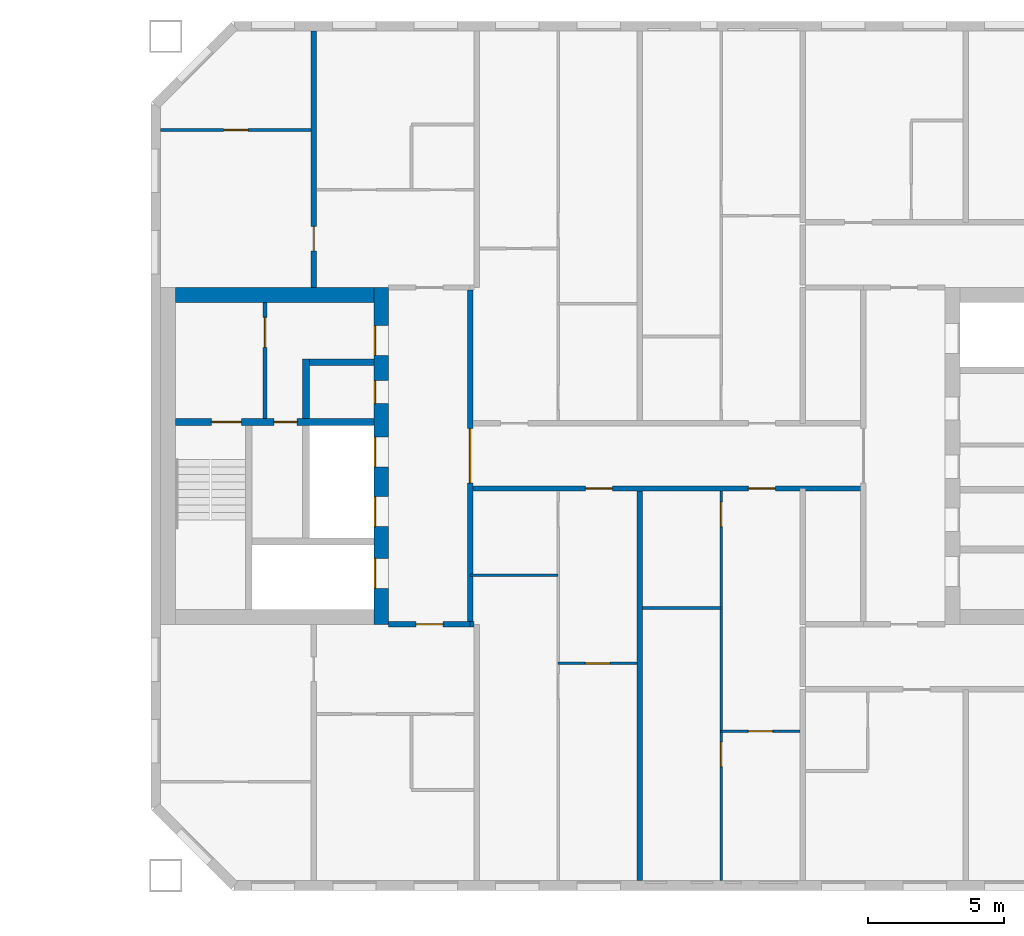
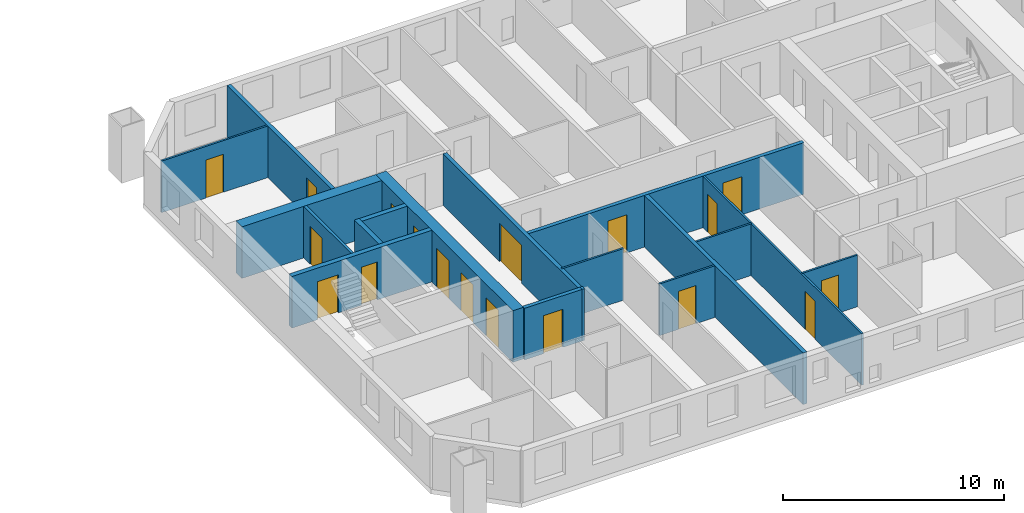
# One storey, part 10 of 16: 18 doors, 18 walls, 18 openings.
"""IFC4 building model written with IfcOpenShell, lengths in metres."""

from ifc_helpers import new_model, si_unit, direction, frame, frame_2d, origin, place, context, subcontext, project, spatial, rectangle, extrude, material, layer, layer_set, type_object, element, fill, save


model = new_model("IFC4")

# Units and contexts
model_context = context("Model", 3, precision=1e-05, world=origin(), true_north=direction((0.0, 1.0)))
body_context = subcontext(model_context, "Body", "Model", "MODEL_VIEW")
ifc_project = project(units=[si_unit("LENGTHUNIT", "METRE"), si_unit("AREAUNIT", "SQUARE_METRE"), si_unit("VOLUMEUNIT", "CUBIC_METRE"), si_unit("PLANEANGLEUNIT", "RADIAN"), si_unit("MASSUNIT", "GRAM", prefix="KILO")], contexts=[model_context])

# Site, building, storey
site_placement = place(None, origin())
site = spatial("IfcSite", under=ifc_project, at=site_placement, CompositionType="ELEMENT")
building_placement = place(site_placement, origin())
building = spatial("IfcBuilding", under=site, at=building_placement, Name="Tuart Gate Housing", CompositionType="ELEMENT")
storey_placement = place(building_placement, frame((0.0, 0.0, 139.199951171875)))
storey = spatial("IfcBuildingStorey", under=building, at=storey_placement, Name="L39", CompositionType="ELEMENT", Elevation=139.199951171875)

# Wall, opening, door
ifc_material_1 = material(Name="Plasterboard partition")
ifc_layer_1 = layer(ifc_material_1, 0.14990234375)
ifc_layer_set_1 = layer_set([ifc_layer_1], Name="Core partition 150")
wall_type_1 = type_object("IfcWallType", Name="Core partition 150", PredefinedType="PARTITIONING", material=ifc_layer_set_1)
wall_1_placement = place(storey_placement, frame((135.2099609375, 71.375, 0.0), z_axis=(0.0, 0.0, 1.0), x_axis=(0.0, 1.0, 0.0)))
wall_1 = element("IfcWall", 1, at=wall_1_placement, inside=storey, type_object=wall_type_1, Name="Core partition BG.6", PredefinedType="PARTITIONING", context=body_context, shape_type="SweptSolid", body=[
    extrude(rectangle(XDim=4.27490234375, YDim=0.14990234375, at=frame_2d((2.137451171875, 0.0))), origin(), (0.0, 0.0, 1.0), 2.85009765625),
])
opening_1_placement = place(wall_1_placement, frame((2.625, 0.0, 0.0)))
opening_1 = element("IfcOpeningElement", 2, at=opening_1_placement, cuts=wall_1, Name="Opening D1481", PredefinedType="OPENING", context=body_context, shape_type="SweptSolid", body=[
    extrude(rectangle(XDim=1.10009765625, YDim=2.10009765625, at=frame_2d((0.550048828125, 1.050048828125))), frame((0.0, 0.0849609375, 0.0), z_axis=(0.0, -1.0, 0.0), x_axis=(1.0, 0.0, 0.0)), (0.0, 0.0, 1.0), 0.169921875),
])
ifc_material_2 = material(Name="Steel fire door", Category="steel")
door_type_1 = type_object("IfcDoorType", Name="Lobby door 1100 x 2100 RH", OperationType="SINGLE_SWING_RIGHT", PredefinedType="DOOR", material=ifc_material_2)
door_1_placement = place(opening_1_placement, origin())
door_1 = element("IfcDoor", 3, at=door_1_placement, inside=storey, type_object=door_type_1, Name="Smoke lobby door BG.KD", OperationType="SINGLE_SWING_RIGHT", OverallHeight=2.10009765625, OverallWidth=1.10009765625, PredefinedType="DOOR", context=body_context, shape_type="SweptSolid", body=[
    extrude(rectangle(XDim=1.10009765625, YDim=2.10009765625, at=frame_2d((0.550048828125, 1.050048828125))), frame((0.0, 0.02490234375, 0.0), z_axis=(0.0, -1.0, 0.0), x_axis=(1.0, 0.0, 0.0)), (0.0, 0.0, 1.0), 0.050048828125),
])
fill(opening_1, door_1)

# Wall, openings, doors
ifc_material_3 = material(Name="Concrete C50", Category="concrete")
ifc_layer_2 = layer(ifc_material_3, 0.25)
ifc_layer_set_2 = layer_set([ifc_layer_2], Name="Core wall 250 C50")
wall_type_2 = type_object("IfcWallType", Name="Core wall 250 C50", PredefinedType="SHEAR", material=ifc_layer_set_2)
wall_2_placement = place(storey_placement, frame((139.2099609375, 71.25, 0.0), z_axis=(0.0, 0.0, 1.0), x_axis=(-1.0, 0.0, 0.0)))
wall_2 = element("IfcWall", 4, at=wall_2_placement, inside=storey, type_object=wall_type_2, Name="Core wall BG.2", PredefinedType="SHEAR", context=body_context, shape_type="SweptSolid", body=[
    extrude(rectangle(XDim=7.300048828125, YDim=0.25, at=frame_2d((3.64990234375, 0.0))), origin(), (0.0, 0.0, 1.0), 2.85009765625),
])
opening_2_placement = place(wall_2_placement, frame((4.875, 0.0, 0.0)))
opening_2 = element("IfcOpeningElement", 5, at=opening_2_placement, cuts=wall_2, Name="Opening D1483", PredefinedType="OPENING", context=body_context, shape_type="SweptSolid", body=[
    extrude(rectangle(XDim=1.10009765625, YDim=2.10009765625, at=frame_2d((0.550048828125, 1.050048828125))), frame((0.0, 0.135009765625, 0.0), z_axis=(0.0, -1.0, 0.0), x_axis=(1.0, 0.0, 0.0)), (0.0, 0.0, 1.0), 0.27001953125),
])
opening_3_placement = place(wall_2_placement, frame((2.824951171875, 0.0, 0.0)))
opening_3 = element("IfcOpeningElement", 6, at=opening_3_placement, cuts=wall_2, Name="Opening D1482", PredefinedType="OPENING", context=body_context, shape_type="SweptSolid", body=[
    extrude(rectangle(XDim=0.85009765625, YDim=2.10009765625, at=frame_2d((0.425048828125, 1.050048828125))), frame((0.0, 0.135009765625, 0.0), z_axis=(0.0, -1.0, 0.0), x_axis=(1.0, 0.0, 0.0)), (0.0, 0.0, 1.0), 0.27001953125),
])
ifc_material_4 = material(Name="Steel fire door", Category="steel")
door_type_2 = type_object("IfcDoorType", Name="Riser door 850 x 2100", OperationType="SINGLE_SWING_LEFT", PredefinedType="DOOR", material=ifc_material_4)
door_2_placement = place(opening_3_placement, origin())
door_2 = element("IfcDoor", 7, at=door_2_placement, inside=storey, type_object=door_type_2, Name="Service room door BG.W1", OperationType="SINGLE_SWING_LEFT", OverallHeight=2.10009765625, OverallWidth=0.85009765625, PredefinedType="DOOR", context=body_context, shape_type="SweptSolid", body=[
    extrude(rectangle(XDim=0.85009765625, YDim=2.10009765625, at=frame_2d((0.425048828125, 1.050048828125))), frame((0.0, 0.02490234375, 0.0), z_axis=(0.0, -1.0, 0.0), x_axis=(1.0, 0.0, 0.0)), (0.0, 0.0, 1.0), 0.050048828125),
])
fill(opening_3, door_2)
ifc_material_5 = material(Name="Steel fire door", Category="steel")
door_type_3 = type_object("IfcDoorType", Name="Stair door 1100 x 2100", OperationType="SINGLE_SWING_LEFT", PredefinedType="DOOR", material=ifc_material_5)
door_3_placement = place(opening_2_placement, origin())
door_3 = element("IfcDoor", 8, at=door_3_placement, inside=storey, type_object=door_type_3, Name="Stair door BG.SD", OperationType="SINGLE_SWING_LEFT", OverallHeight=2.10009765625, OverallWidth=1.10009765625, PredefinedType="DOOR", context=body_context, shape_type="SweptSolid", body=[
    extrude(rectangle(XDim=1.10009765625, YDim=2.10009765625, at=frame_2d((0.550048828125, 1.050048828125))), frame((0.0, 0.02490234375, 0.0), z_axis=(0.0, -1.0, 0.0), x_axis=(1.0, 0.0, 0.0)), (0.0, 0.0, 1.0), 0.050048828125),
])
fill(opening_2, door_3)

# Walls
wall_3_placement = place(storey_placement, frame((139.2099609375, 73.449951171875, 0.0), z_axis=(0.0, 0.0, 1.0), x_axis=(-1.0, 0.0, 0.0)))
element("IfcWall", 9, at=wall_3_placement, inside=storey, type_object=wall_type_2, Name="Core wall BG.3", PredefinedType="SHEAR", context=body_context, shape_type="SweptSolid", body=[
    extrude(rectangle(XDim=2.375, YDim=0.25, at=frame_2d((1.1875, 0.0))), origin(), (0.0, 0.0, 1.0), 2.85009765625),
])
wall_4_placement = place(storey_placement, frame((136.7099609375, 71.375, 0.0), z_axis=(0.0, 0.0, 1.0), x_axis=(0.0, 1.0, 0.0)))
element("IfcWall", 10, at=wall_4_placement, inside=storey, type_object=wall_type_2, Name="Core wall BG.5", PredefinedType="SHEAR", context=body_context, shape_type="SweptSolid", body=[
    extrude(rectangle(XDim=2.199951171875, YDim=0.25, at=frame_2d((1.10009765625, 0.0))), origin(), (0.0, 0.0, 1.0), 2.85009765625),
])

# Wall, openings, doors
ifc_material_6 = material(Name="Concrete C50", Category="concrete")
ifc_layer_3 = layer(ifc_material_6, 0.550048828125)
ifc_layer_set_3 = layer_set([ifc_layer_3], Name="Core wall 550 C50")
wall_type_3 = type_object("IfcWallType", Name="Core wall 550 C50", PredefinedType="SHEAR", material=ifc_layer_set_3)
wall_5_placement = place(storey_placement, frame((139.485107421875, 63.800048828125, 0.0), z_axis=(0.0, 0.0, 1.0), x_axis=(0.0, 1.0, 0.0)))
wall_5 = element("IfcWall", 11, at=wall_5_placement, inside=storey, type_object=wall_type_3, Name="Core wall BG front", PredefinedType="SHEAR", context=body_context, shape_type="SweptSolid", body=[
    extrude(rectangle(XDim=12.39990234375, YDim=0.550048828125, at=frame_2d((6.199951171875, 0.0))), origin(), (0.0, 0.0, 1.0), 2.85009765625),
])
opening_4_placement = place(wall_5_placement, frame((1.324951171875, 0.0, 0.0)))
opening_4 = element("IfcOpeningElement", 12, at=opening_4_placement, cuts=wall_5, Name="Opening LD-FB1", PredefinedType="OPENING", context=body_context, shape_type="SweptSolid", body=[
    extrude(rectangle(XDim=1.10009765625, YDim=2.10009765625, at=frame_2d((0.550048828125, 1.050048828125))), frame((0.0, 0.284912109375, 0.0), z_axis=(0.0, -1.0, 0.0), x_axis=(1.0, 0.0, 0.0)), (0.0, 0.0, 1.0), 0.570068359375),
])
opening_5_placement = place(wall_5_placement, frame((3.60009765625, 0.0, 0.0)))
opening_5 = element("IfcOpeningElement", 13, at=opening_5_placement, cuts=wall_5, Name="Opening LD-LB1", PredefinedType="OPENING", context=body_context, shape_type="SweptSolid", body=[
    extrude(rectangle(XDim=1.10009765625, YDim=2.10009765625, at=frame_2d((0.550048828125, 1.050048828125))), frame((0.0, 0.284912109375, 0.0), z_axis=(0.0, -1.0, 0.0), x_axis=(1.0, 0.0, 0.0)), (0.0, 0.0, 1.0), 0.570068359375),
])
opening_6_placement = place(wall_5_placement, frame((5.800048828125, 0.0, 0.0)))
opening_6 = element("IfcOpeningElement", 14, at=opening_6_placement, cuts=wall_5, Name="Opening LD-LB2", PredefinedType="OPENING", context=body_context, shape_type="SweptSolid", body=[
    extrude(rectangle(XDim=1.10009765625, YDim=2.10009765625, at=frame_2d((0.550048828125, 1.050048828125))), frame((0.0, 0.284912109375, 0.0), z_axis=(0.0, -1.0, 0.0), x_axis=(1.0, 0.0, 0.0)), (0.0, 0.0, 1.0), 0.570068359375),
])
opening_7_placement = place(wall_5_placement, frame((9.89990234375, 0.0, 0.0)))
opening_7 = element("IfcOpeningElement", 15, at=opening_7_placement, cuts=wall_5, Name="Opening D1487", PredefinedType="OPENING", context=body_context, shape_type="SweptSolid", body=[
    extrude(rectangle(XDim=1.10009765625, YDim=2.10009765625, at=frame_2d((0.550048828125, 1.050048828125))), frame((0.0, 0.284912109375, 0.0), z_axis=(0.0, -1.0, 0.0), x_axis=(1.0, 0.0, 0.0)), (0.0, 0.0, 1.0), 0.570068359375),
])
opening_8_placement = place(wall_5_placement, frame((8.125, 0.0, 0.0)))
opening_8 = element("IfcOpeningElement", 16, at=opening_8_placement, cuts=wall_5, Name="Opening D1488", PredefinedType="OPENING", context=body_context, shape_type="SweptSolid", body=[
    extrude(rectangle(XDim=0.85009765625, YDim=2.10009765625, at=frame_2d((0.425048828125, 1.050048828125))), frame((0.0, 0.284912109375, 0.0), z_axis=(0.0, -1.0, 0.0), x_axis=(1.0, 0.0, 0.0)), (0.0, 0.0, 1.0), 0.570068359375),
])
ifc_material_7 = material(Name="Stainless steel", Category="steel")
door_type_4 = type_object("IfcDoorType", Name="Landing door 1100 x 2100", OperationType="DOUBLE_DOOR_SLIDING", PredefinedType="DOOR", material=ifc_material_7)
door_4_placement = place(opening_4_placement, origin())
door_4 = element("IfcDoor", 17, at=door_4_placement, inside=storey, type_object=door_type_4, Name="Lift landing door FB1", OperationType="DOUBLE_DOOR_SLIDING", OverallHeight=2.10009765625, OverallWidth=1.10009765625, PredefinedType="DOOR", context=body_context, shape_type="SweptSolid", body=[
    extrude(rectangle(XDim=1.10009765625, YDim=2.10009765625, at=frame_2d((0.550048828125, 1.050048828125))), frame((0.0, 0.26025390625, 0.0), z_axis=(0.0, -1.0, 0.0), x_axis=(1.0, 0.0, 0.0)), (0.0, 0.0, 1.0), 0.050048828125),
])
fill(opening_4, door_4)
door_5_placement = place(opening_5_placement, origin())
door_5 = element("IfcDoor", 18, at=door_5_placement, inside=storey, type_object=door_type_4, Name="Lift landing door LB1", OperationType="DOUBLE_DOOR_SLIDING", OverallHeight=2.10009765625, OverallWidth=1.10009765625, PredefinedType="DOOR", context=body_context, shape_type="SweptSolid", body=[
    extrude(rectangle(XDim=1.10009765625, YDim=2.10009765625, at=frame_2d((0.550048828125, 1.050048828125))), frame((0.0, 0.26025390625, 0.0), z_axis=(0.0, -1.0, 0.0), x_axis=(1.0, 0.0, 0.0)), (0.0, 0.0, 1.0), 0.050048828125),
])
fill(opening_5, door_5)
door_6_placement = place(opening_6_placement, origin())
door_6 = element("IfcDoor", 19, at=door_6_placement, inside=storey, type_object=door_type_4, Name="Lift landing door LB2", OperationType="DOUBLE_DOOR_SLIDING", OverallHeight=2.10009765625, OverallWidth=1.10009765625, PredefinedType="DOOR", context=body_context, shape_type="SweptSolid", body=[
    extrude(rectangle(XDim=1.10009765625, YDim=2.10009765625, at=frame_2d((0.550048828125, 1.050048828125))), frame((0.0, 0.26025390625, 0.0), z_axis=(0.0, -1.0, 0.0), x_axis=(1.0, 0.0, 0.0)), (0.0, 0.0, 1.0), 0.050048828125),
])
fill(opening_6, door_6)
ifc_material_8 = material(Name="Steel fire door", Category="steel")
door_type_5 = type_object("IfcDoorType", Name="Lobby door 1100 x 2100", OperationType="SINGLE_SWING_LEFT", PredefinedType="DOOR", material=ifc_material_8)
door_7_placement = place(opening_7_placement, origin())
door_7 = element("IfcDoor", 20, at=door_7_placement, inside=storey, type_object=door_type_5, Name="Lobby entry door BG.EN", OperationType="SINGLE_SWING_LEFT", OverallHeight=2.10009765625, OverallWidth=1.10009765625, PredefinedType="DOOR", context=body_context, shape_type="SweptSolid", body=[
    extrude(rectangle(XDim=1.10009765625, YDim=2.10009765625, at=frame_2d((0.550048828125, 1.050048828125))), frame((0.0, 0.26025390625, 0.0), z_axis=(0.0, -1.0, 0.0), x_axis=(1.0, 0.0, 0.0)), (0.0, 0.0, 1.0), 0.050048828125),
])
fill(opening_7, door_7)
ifc_material_9 = material(Name="Steel fire door", Category="steel")
door_type_6 = type_object("IfcDoorType", Name="Service door 850 x 2100", OperationType="SINGLE_SWING_LEFT", PredefinedType="DOOR", material=ifc_material_9)
door_8_placement = place(opening_8_placement, origin())
door_8 = element("IfcDoor", 21, at=door_8_placement, inside=storey, type_object=door_type_6, Name="Service room door BG.T1", OperationType="SINGLE_SWING_LEFT", OverallHeight=2.10009765625, OverallWidth=0.85009765625, PredefinedType="DOOR", context=body_context, shape_type="SweptSolid", body=[
    extrude(rectangle(XDim=0.85009765625, YDim=2.10009765625, at=frame_2d((0.425048828125, 1.050048828125))), frame((0.0, 0.26025390625, 0.0), z_axis=(0.0, -1.0, 0.0), x_axis=(1.0, 0.0, 0.0)), (0.0, 0.0, 1.0), 0.050048828125),
])
fill(opening_8, door_8)

# Wall
wall_6_placement = place(storey_placement, frame((139.2099609375, 75.925048828125, 0.0), z_axis=(0.0, 0.0, 1.0), x_axis=(-1.0, 0.0, 0.0)))
element("IfcWall", 22, at=wall_6_placement, inside=storey, type_object=wall_type_3, Name="Core wall BG north", PredefinedType="SHEAR", context=body_context, shape_type="SweptSolid", body=[
    extrude(rectangle(XDim=7.300048828125, YDim=0.550048828125, at=frame_2d((3.64990234375, 0.0))), origin(), (0.0, 0.0, 1.0), 2.85009765625),
])

# Wall, openings, doors
ifc_material_10 = material(Name="Concrete masonry 15 MPa", Category="masonry")
ifc_layer_4 = layer(ifc_material_10, 0.199951171875)
ifc_layer_set_4 = layer_set([ifc_layer_4], Name="Corridor wall masonry 200")
wall_type_4 = type_object("IfcWallType", Name="Corridor wall masonry 200", PredefinedType="PARTITIONING", material=ifc_layer_set_4)
wall_7_placement = place(storey_placement, frame((142.760009765625, 68.800048828125, 0.0), z_axis=(0.0, 0.0, 1.0), x_axis=(1.0, 0.0, 0.0)))
wall_7 = element("IfcWall", 23, at=wall_7_placement, inside=storey, type_object=wall_type_4, Name="Corridor wall masonry 200", PredefinedType="PARTITIONING", context=body_context, shape_type="SweptSolid", body=[
    extrude(rectangle(XDim=14.47998046875, YDim=0.199951171875, at=frame_2d((7.239990234375, 0.0))), origin(), (0.0, 0.0, 1.0), 2.85009765625),
])
opening_9_placement = place(wall_7_placement, frame((4.239990234375, 0.0, 0.0)))
opening_9 = element("IfcOpeningElement", 24, at=opening_9_placement, cuts=wall_7, Name="Opening D1495", PredefinedType="OPENING", context=body_context, shape_type="SweptSolid", body=[
    extrude(rectangle(XDim=1.0, YDim=2.10009765625, at=frame_2d((0.5, 1.050048828125))), frame((0.0, 0.10986328125, 0.0), z_axis=(0.0, -1.0, 0.0), x_axis=(1.0, 0.0, 0.0)), (0.0, 0.0, 1.0), 0.219970703125),
])
opening_10_placement = place(wall_7_placement, frame((10.239990234375, 0.0, 0.0)))
opening_10 = element("IfcOpeningElement", 25, at=opening_10_placement, cuts=wall_7, Name="Opening D1496", PredefinedType="OPENING", context=body_context, shape_type="SweptSolid", body=[
    extrude(rectangle(XDim=1.0, YDim=2.10009765625, at=frame_2d((0.5, 1.050048828125))), frame((0.0, 0.10986328125, 0.0), z_axis=(0.0, -1.0, 0.0), x_axis=(1.0, 0.0, 0.0)), (0.0, 0.0, 1.0), 0.219970703125),
])
ifc_material_11 = material(Name="Timber door leaf in steel frame", Category="steel")
door_type_7 = type_object("IfcDoorType", Name="Flat entrance door 1000 RH", OperationType="SINGLE_SWING_RIGHT", PredefinedType="DOOR", material=ifc_material_11)
door_9_placement = place(opening_9_placement, frame((1.0, 0.0, 0.0), z_axis=(0.0, 0.0, 1.0), x_axis=(-1.0, 0.0, 0.0)))
door_9 = element("IfcDoor", 26, at=door_9_placement, inside=storey, type_object=door_type_7, Name="Flat entrance door", OperationType="SINGLE_SWING_RIGHT", OverallHeight=2.10009765625, OverallWidth=1.0, PredefinedType="DOOR", context=body_context, shape_type="SweptSolid", body=[
    extrude(rectangle(XDim=1.0, YDim=2.10009765625, at=frame_2d((0.5, 1.050048828125))), frame((0.0, 0.025146484375, 0.0), z_axis=(0.0, -1.0, 0.0), x_axis=(1.0, 0.0, 0.0)), (0.0, 0.0, 1.0), 0.050048828125),
])
fill(opening_9, door_9)
door_10_placement = place(opening_10_placement, frame((1.0, 0.0, 0.0), z_axis=(0.0, 0.0, 1.0), x_axis=(-1.0, 0.0, 0.0)))
door_10 = element("IfcDoor", 27, at=door_10_placement, inside=storey, type_object=door_type_7, Name="Flat entrance door", OperationType="SINGLE_SWING_RIGHT", OverallHeight=2.10009765625, OverallWidth=1.0, PredefinedType="DOOR", context=body_context, shape_type="SweptSolid", body=[
    extrude(rectangle(XDim=1.0, YDim=2.10009765625, at=frame_2d((0.5, 1.050048828125))), frame((0.0, 0.025146484375, 0.0), z_axis=(0.0, -1.0, 0.0), x_axis=(1.0, 0.0, 0.0)), (0.0, 0.0, 1.0), 0.050048828125),
])
fill(opening_10, door_10)

# Wall, opening, door
ifc_material_12 = material(Name="Concrete masonry 15 MPa", Category="masonry")
ifc_layer_5 = layer(ifc_material_12, 0.199951171875)
ifc_layer_set_5 = layer_set([ifc_layer_5], Name="Enclosure wall masonry 200")
wall_type_5 = type_object("IfcWallType", Name="Enclosure wall masonry 200", PredefinedType="PARTITIONING", material=ifc_layer_set_5)
wall_8_placement = place(storey_placement, frame((139.760009765625, 63.800048828125, 0.0), z_axis=(0.0, 0.0, 1.0), x_axis=(1.0, 0.0, 0.0)))
wall_8 = element("IfcWall", 28, at=wall_8_placement, inside=storey, type_object=wall_type_5, Name="Enclosure wall masonry 200", PredefinedType="PARTITIONING", context=body_context, shape_type="SweptSolid", body=[
    extrude(rectangle(XDim=3.0, YDim=0.199951171875, at=frame_2d((1.5, 0.0))), origin(), (0.0, 0.0, 1.0), 2.85009765625),
])
opening_11_placement = place(wall_8_placement, frame((1.0, 0.0, 0.0)))
opening_11 = element("IfcOpeningElement", 29, at=opening_11_placement, cuts=wall_8, Name="Opening D1499", PredefinedType="OPENING", context=body_context, shape_type="SweptSolid", body=[
    extrude(rectangle(XDim=1.0, YDim=2.10009765625, at=frame_2d((0.5, 1.050048828125))), frame((0.0, 0.10986328125, 0.0), z_axis=(0.0, -1.0, 0.0), x_axis=(1.0, 0.0, 0.0)), (0.0, 0.0, 1.0), 0.219970703125),
])
ifc_material_13 = material(Name="Timber door leaf in steel frame", Category="steel")
door_type_8 = type_object("IfcDoorType", Name="Flat entrance door 1000", OperationType="SINGLE_SWING_LEFT", PredefinedType="DOOR", material=ifc_material_13)
door_11_placement = place(opening_11_placement, frame((1.0, 0.0, 0.0), z_axis=(0.0, 0.0, 1.0), x_axis=(-1.0, 0.0, 0.0)))
door_11 = element("IfcDoor", 30, at=door_11_placement, inside=storey, type_object=door_type_8, Name="Flat entrance door", OperationType="SINGLE_SWING_LEFT", OverallHeight=2.10009765625, OverallWidth=1.0, PredefinedType="DOOR", context=body_context, shape_type="SweptSolid", body=[
    extrude(rectangle(XDim=1.0, YDim=2.10009765625, at=frame_2d((0.5, 1.050048828125))), frame((0.0, 0.025146484375, 0.0), z_axis=(0.0, -1.0, 0.0), x_axis=(1.0, 0.0, 0.0)), (0.0, 0.0, 1.0), 0.050048828125),
])
fill(opening_11, door_11)

ifc_material_14 = material(Name="Plasterboard partition")
ifc_layer_6 = layer(ifc_material_14, 0.199951171875)
ifc_layer_set_6 = layer_set([ifc_layer_6], Name="Lobby wall 200")
wall_type_6 = type_object("IfcWallType", Name="Lobby wall 200", PredefinedType="PARTITIONING", material=ifc_layer_set_6)
wall_9_placement = place(storey_placement, frame((142.760009765625, 63.89990234375, 0.0), z_axis=(0.0, 0.0, 1.0), x_axis=(0.0, 1.0, 0.0)))
wall_9 = element("IfcWall", 31, at=wall_9_placement, inside=storey, type_object=wall_type_6, Name="Lift lobby wall BG", PredefinedType="PARTITIONING", context=body_context, shape_type="SweptSolid", body=[
    extrude(rectangle(XDim=12.2001953125, YDim=0.199951171875, at=frame_2d((6.10009765625, 0.0))), origin(), (0.0, 0.0, 1.0), 2.85009765625),
])
opening_12_placement = place(wall_9_placement, frame((5.10009765625, 0.0, 0.0)))
opening_12 = element("IfcOpeningElement", 32, at=opening_12_placement, cuts=wall_9, Name="Opening D1489", PredefinedType="OPENING", context=body_context, shape_type="SweptSolid", body=[
    extrude(rectangle(XDim=2.0, YDim=2.10009765625, at=frame_2d((1.0, 1.050048828125))), frame((0.0, 0.10986328125, 0.0), z_axis=(0.0, -1.0, 0.0), x_axis=(1.0, 0.0, 0.0)), (0.0, 0.0, 1.0), 0.219970703125),
])
ifc_material_15 = material(Name="Steel fire door", Category="steel")
door_type_9 = type_object("IfcDoorType", Name="Smoke door 2000 x 2100", OperationType="DOUBLE_DOOR_SINGLE_SWING", PredefinedType="DOOR", material=ifc_material_15)
door_12_placement = place(opening_12_placement, origin())
door_12 = element("IfcDoor", 33, at=door_12_placement, inside=storey, type_object=door_type_9, Name="Lift lobby smoke door BG", OperationType="DOUBLE_DOOR_SINGLE_SWING", OverallHeight=2.10009765625, OverallWidth=2.0, PredefinedType="DOOR", context=body_context, shape_type="SweptSolid", body=[
    extrude(rectangle(XDim=2.0, YDim=2.10009765625, at=frame_2d((1.0, 1.050048828125))), frame((0.0, 0.02490234375, 0.0), z_axis=(0.0, -1.0, 0.0), x_axis=(1.0, 0.0, 0.0)), (0.0, 0.0, 1.0), 0.050048828125),
])
fill(opening_12, door_12)

ifc_material_16 = material(Name="Gypsum board on steel studs", Category="steel")
ifc_layer_7 = layer(ifc_material_16, 0.10009765625)
ifc_layer_set_7 = layer_set([ifc_layer_7], Name="Partition 100")
wall_type_7 = type_object("IfcWallType", Name="Partition 100", PredefinedType="PARTITIONING", material=ifc_layer_set_7)
wall_10_placement = place(storey_placement, frame((152.0, 59.860107421875, 0.0), z_axis=(0.0, 0.0, 1.0), x_axis=(1.0, 0.0, 0.0)))
wall_10 = element("IfcWall", 34, at=wall_10_placement, inside=storey, type_object=wall_type_7, Name="Partition 100", PredefinedType="PARTITIONING", context=body_context, shape_type="SweptSolid", body=[
    extrude(rectangle(XDim=2.89990234375, YDim=0.10009765625, at=frame_2d((1.449951171875, 0.0))), origin(), (0.0, 0.0, 1.0), 2.85009765625),
])
opening_13_placement = place(wall_10_placement, frame((1.0, 0.0, 0.0)))
opening_13 = element("IfcOpeningElement", 35, at=opening_13_placement, cuts=wall_10, Name="Opening D1511", PredefinedType="OPENING", context=body_context, shape_type="SweptSolid", body=[
    extrude(rectangle(XDim=0.89990234375, YDim=2.10009765625, at=frame_2d((0.449951171875, 1.050048828125))), frame((0.0, 0.06005859375, 0.0), z_axis=(0.0, -1.0, 0.0), x_axis=(1.0, 0.0, 0.0)), (0.0, 0.0, 1.0), 0.1201171875),
])
ifc_material_17 = material(Name="Timber door leaf in steel frame", Category="steel")
door_type_10 = type_object("IfcDoorType", Name="Internal door 900", OperationType="SINGLE_SWING_LEFT", PredefinedType="DOOR", material=ifc_material_17)
door_13_placement = place(opening_13_placement, origin())
door_13 = element("IfcDoor", 36, at=door_13_placement, inside=storey, type_object=door_type_10, Name="Internal door", OperationType="SINGLE_SWING_LEFT", OverallHeight=2.10009765625, OverallWidth=0.89990234375, PredefinedType="DOOR", context=body_context, shape_type="SweptSolid", body=[
    extrude(rectangle(XDim=0.89990234375, YDim=2.10009765625, at=frame_2d((0.449951171875, 1.050048828125))), frame((0.0, 0.02490234375, 0.0), z_axis=(0.0, -1.0, 0.0), x_axis=(1.0, 0.0, 0.0)), (0.0, 0.0, 1.0), 0.050048828125),
])
fill(opening_13, door_13)

wall_11_placement = place(storey_placement, frame((146.0, 62.360107421875, 0.0), z_axis=(0.0, 0.0, 1.0), x_axis=(1.0, 0.0, 0.0)))
wall_11 = element("IfcWall", 37, at=wall_11_placement, inside=storey, type_object=wall_type_7, Name="Partition 100", PredefinedType="PARTITIONING", context=body_context, shape_type="SweptSolid", body=[
    extrude(rectangle(XDim=2.89990234375, YDim=0.10009765625, at=frame_2d((1.449951171875, 0.0))), origin(), (0.0, 0.0, 1.0), 2.85009765625),
])
opening_14_placement = place(wall_11_placement, frame((1.0, 0.0, 0.0)))
opening_14 = element("IfcOpeningElement", 38, at=opening_14_placement, cuts=wall_11, Name="Opening D1501", PredefinedType="OPENING", context=body_context, shape_type="SweptSolid", body=[
    extrude(rectangle(XDim=0.89990234375, YDim=2.10009765625, at=frame_2d((0.449951171875, 1.050048828125))), frame((0.0, 0.06005859375, 0.0), z_axis=(0.0, -1.0, 0.0), x_axis=(1.0, 0.0, 0.0)), (0.0, 0.0, 1.0), 0.1201171875),
])
door_14_placement = place(opening_14_placement, origin())
door_14 = element("IfcDoor", 39, at=door_14_placement, inside=storey, type_object=door_type_10, Name="Internal door", OperationType="SINGLE_SWING_LEFT", OverallHeight=2.10009765625, OverallWidth=0.89990234375, PredefinedType="DOOR", context=body_context, shape_type="SweptSolid", body=[
    extrude(rectangle(XDim=0.89990234375, YDim=2.10009765625, at=frame_2d((0.449951171875, 1.050048828125))), frame((0.0, 0.02490234375, 0.0), z_axis=(0.0, -1.0, 0.0), x_axis=(1.0, 0.0, 0.0)), (0.0, 0.0, 1.0), 0.050048828125),
])
fill(opening_14, door_14)

# Walls
wall_12_placement = place(storey_placement, frame((149.10009765625, 64.39990234375, 0.0), z_axis=(0.0, 0.0, 1.0), x_axis=(1.0, 0.0, 0.0)))
element("IfcWall", 40, at=wall_12_placement, inside=storey, type_object=wall_type_7, Name="Partition 100", PredefinedType="PARTITIONING", context=body_context, shape_type="SweptSolid", body=[
    extrude(rectangle(XDim=2.89990234375, YDim=0.10009765625, at=frame_2d((1.449951171875, 0.0))), origin(), (0.0, 0.0, 1.0), 2.85009765625),
])
wall_13_placement = place(storey_placement, frame((142.760009765625, 65.60009765625, 0.0), z_axis=(0.0, 0.0, 1.0), x_axis=(1.0, 0.0, 0.0)))
element("IfcWall", 41, at=wall_13_placement, inside=storey, type_object=wall_type_7, Name="Partition 100", PredefinedType="PARTITIONING", context=body_context, shape_type="SweptSolid", body=[
    extrude(rectangle(XDim=3.239990234375, YDim=0.10009765625, at=frame_2d((1.6201171875, 0.0))), origin(), (0.0, 0.0, 1.0), 2.85009765625),
])

# Wall, opening, door
wall_14_placement = place(storey_placement, frame((131.360107421875, 82.0, 0.0), z_axis=(0.0, 0.0, 1.0), x_axis=(1.0, 0.0, 0.0)))
wall_14 = element("IfcWall", 42, at=wall_14_placement, inside=storey, type_object=wall_type_7, Name="Partition 100", PredefinedType="PARTITIONING", context=body_context, shape_type="SweptSolid", body=[
    extrude(rectangle(XDim=5.539794921875, YDim=0.10009765625, at=frame_2d((2.77001953125, 0.0))), origin(), (0.0, 0.0, 1.0), 2.85009765625),
])
opening_15_placement = place(wall_14_placement, frame((2.320068359375, 0.0, 0.0)))
opening_15 = element("IfcOpeningElement", 43, at=opening_15_placement, cuts=wall_14, Name="Opening D1466", PredefinedType="OPENING", context=body_context, shape_type="SweptSolid", body=[
    extrude(rectangle(XDim=0.89990234375, YDim=2.10009765625, at=frame_2d((0.449951171875, 1.050048828125))), frame((0.0, 0.06005859375, 0.0), z_axis=(0.0, -1.0, 0.0), x_axis=(1.0, 0.0, 0.0)), (0.0, 0.0, 1.0), 0.1201171875),
])
door_15_placement = place(opening_15_placement, origin())
door_15 = element("IfcDoor", 44, at=door_15_placement, inside=storey, type_object=door_type_10, Name="Internal door", OperationType="SINGLE_SWING_LEFT", OverallHeight=2.10009765625, OverallWidth=0.89990234375, PredefinedType="DOOR", context=body_context, shape_type="SweptSolid", body=[
    extrude(rectangle(XDim=0.89990234375, YDim=2.10009765625, at=frame_2d((0.449951171875, 1.050048828125))), frame((0.0, 0.02490234375, 0.0), z_axis=(0.0, -1.0, 0.0), x_axis=(1.0, 0.0, 0.0)), (0.0, 0.0, 1.0), 0.050048828125),
])
fill(opening_15, door_15)

# Wall, openings, doors
wall_15_placement = place(storey_placement, frame((152.0, 54.360107421875, 0.0), z_axis=(0.0, 0.0, 1.0), x_axis=(0.0, 1.0, 0.0)))
wall_15 = element("IfcWall", 45, at=wall_15_placement, inside=storey, type_object=wall_type_7, Name="Partition 100", PredefinedType="PARTITIONING", context=body_context, shape_type="SweptSolid", body=[
    extrude(rectangle(XDim=14.33984375, YDim=0.10009765625, at=frame_2d((7.169921875, 0.0))), origin(), (0.0, 0.0, 1.0), 2.85009765625),
])
opening_16_placement = place(wall_15_placement, frame((4.199951171875, 0.0, 0.0)))
opening_16 = element("IfcOpeningElement", 46, at=opening_16_placement, cuts=wall_15, Name="Opening D1505", PredefinedType="OPENING", context=body_context, shape_type="SweptSolid", body=[
    extrude(rectangle(XDim=0.89990234375, YDim=2.10009765625, at=frame_2d((0.449951171875, 1.050048828125))), frame((0.0, 0.06005859375, 0.0), z_axis=(0.0, -1.0, 0.0), x_axis=(1.0, 0.0, 0.0)), (0.0, 0.0, 1.0), 0.1201171875),
])
opening_17_placement = place(wall_15_placement, frame((13.0400390625, 0.0, 0.0)))
opening_17 = element("IfcOpeningElement", 47, at=opening_17_placement, cuts=wall_15, Name="Opening D1504", PredefinedType="OPENING", context=body_context, shape_type="SweptSolid", body=[
    extrude(rectangle(XDim=0.89990234375, YDim=2.10009765625, at=frame_2d((0.449951171875, 1.050048828125))), frame((0.0, 0.06005859375, 0.0), z_axis=(0.0, -1.0, 0.0), x_axis=(1.0, 0.0, 0.0)), (0.0, 0.0, 1.0), 0.1201171875),
])
ifc_material_18 = material(Name="Timber door leaf in steel frame", Category="steel")
door_type_11 = type_object("IfcDoorType", Name="Bathroom door 900 RH", OperationType="SINGLE_SWING_RIGHT", PredefinedType="DOOR", material=ifc_material_18)
door_16_placement = place(opening_17_placement, origin())
door_16 = element("IfcDoor", 48, at=door_16_placement, inside=storey, type_object=door_type_11, Name="Bathroom door", OperationType="SINGLE_SWING_RIGHT", OverallHeight=2.10009765625, OverallWidth=0.89990234375, PredefinedType="DOOR", context=body_context, shape_type="SweptSolid", body=[
    extrude(rectangle(XDim=0.89990234375, YDim=2.10009765625, at=frame_2d((0.449951171875, 1.050048828125))), frame((0.0, 0.02490234375, 0.0), z_axis=(0.0, -1.0, 0.0), x_axis=(1.0, 0.0, 0.0)), (0.0, 0.0, 1.0), 0.050048828125),
])
fill(opening_17, door_16)
door_17_placement = place(opening_16_placement, origin())
door_17 = element("IfcDoor", 49, at=door_17_placement, inside=storey, type_object=door_type_10, Name="Internal door", OperationType="SINGLE_SWING_LEFT", OverallHeight=2.10009765625, OverallWidth=0.89990234375, PredefinedType="DOOR", context=body_context, shape_type="SweptSolid", body=[
    extrude(rectangle(XDim=0.89990234375, YDim=2.10009765625, at=frame_2d((0.449951171875, 1.050048828125))), frame((0.0, 0.02490234375, 0.0), z_axis=(0.0, -1.0, 0.0), x_axis=(1.0, 0.0, 0.0)), (0.0, 0.0, 1.0), 0.050048828125),
])
fill(opening_16, door_17)

# Wall, opening, door
ifc_material_19 = material(Name="Concrete C40", Category="concrete")
ifc_layer_8 = layer(ifc_material_19, 0.199951171875)
ifc_layer_set_8 = layer_set([ifc_layer_8], Name="Party wall concrete C40 200")
wall_type_8 = type_object("IfcWallType", Name="Party wall concrete C40 200", PredefinedType="SOLIDWALL", material=ifc_layer_set_8)
wall_16_placement = place(storey_placement, frame((137.0, 76.199951171875, 0.0), z_axis=(0.0, 0.0, 1.0), x_axis=(0.0, 1.0, 0.0)))
wall_16 = element("IfcWall", 50, at=wall_16_placement, inside=storey, type_object=wall_type_8, Name="Party wall concrete C40 200", PredefinedType="SOLIDWALL", context=body_context, shape_type="SweptSolid", body=[
    extrude(rectangle(XDim=9.43994140625, YDim=0.199951171875, at=frame_2d((4.719970703125, 0.0))), origin(), (0.0, 0.0, 1.0), 2.85009765625),
])
opening_18_placement = place(wall_16_placement, frame((1.35009765625, 0.0, 0.0)))
opening_18 = element("IfcOpeningElement", 51, at=opening_18_placement, cuts=wall_16, Name="Opening D1467", PredefinedType="OPENING", context=body_context, shape_type="SweptSolid", body=[
    extrude(rectangle(XDim=0.89990234375, YDim=2.10009765625, at=frame_2d((0.449951171875, 1.050048828125))), frame((0.0, 0.10986328125, 0.0), z_axis=(0.0, -1.0, 0.0), x_axis=(1.0, 0.0, 0.0)), (0.0, 0.0, 1.0), 0.219970703125),
])
ifc_material_20 = material(Name="Timber door leaf in steel frame", Category="steel")
door_type_12 = type_object("IfcDoorType", Name="Internal door 900 RH", OperationType="SINGLE_SWING_RIGHT", PredefinedType="DOOR", material=ifc_material_20)
door_18_placement = place(opening_18_placement, frame((0.89990234375, 0.0, 0.0), z_axis=(0.0, 0.0, 1.0), x_axis=(-1.0, 0.0, 0.0)))
door_18 = element("IfcDoor", 52, at=door_18_placement, inside=storey, type_object=door_type_12, Name="Internal door", OperationType="SINGLE_SWING_RIGHT", OverallHeight=2.10009765625, OverallWidth=0.89990234375, PredefinedType="DOOR", context=body_context, shape_type="SweptSolid", body=[
    extrude(rectangle(XDim=0.89990234375, YDim=2.10009765625, at=frame_2d((0.449951171875, 1.050048828125))), frame((0.0, 0.025146484375, 0.0), z_axis=(0.0, -1.0, 0.0), x_axis=(1.0, 0.0, 0.0)), (0.0, 0.0, 1.0), 0.050048828125),
])
fill(opening_18, door_18)

# Walls
wall_17_placement = place(storey_placement, frame((149.0, 54.360107421875, 0.0), z_axis=(0.0, 0.0, 1.0), x_axis=(0.0, 1.0, 0.0)))
element("IfcWall", 53, at=wall_17_placement, inside=storey, type_object=wall_type_8, Name="Party wall concrete C40 200", PredefinedType="SOLIDWALL", context=body_context, shape_type="SweptSolid", body=[
    extrude(rectangle(XDim=14.43994140625, YDim=0.199951171875, at=frame_2d((7.219970703125, 0.0))), origin(), (0.0, 0.0, 1.0), 2.85009765625),
])
ifc_material_21 = material(Name="Concrete masonry 15 MPa", Category="masonry")
ifc_layer_9 = layer(ifc_material_21, 0.199951171875)
ifc_layer_set_9 = layer_set([ifc_layer_9], Name="Party wall masonry 200")
wall_type_9 = type_object("IfcWallType", Name="Party wall masonry 200", PredefinedType="PARTITIONING", material=ifc_layer_set_9)
wall_18_placement = place(storey_placement, frame((142.760009765625, 63.800048828125, 0.0), z_axis=(0.0, 0.0, 1.0), x_axis=(1.0, 0.0, 0.0)))
element("IfcWall", 54, at=wall_18_placement, inside=storey, type_object=wall_type_9, Name="Party wall masonry 200", PredefinedType="PARTITIONING", context=body_context, shape_type="SweptSolid", body=[
    extrude(rectangle(XDim=0.139892578125, YDim=0.199951171875, at=frame_2d((0.06982421875, 0.0))), origin(), (0.0, 0.0, 1.0), 2.85009765625),
])

save(model, "model.ifc")
